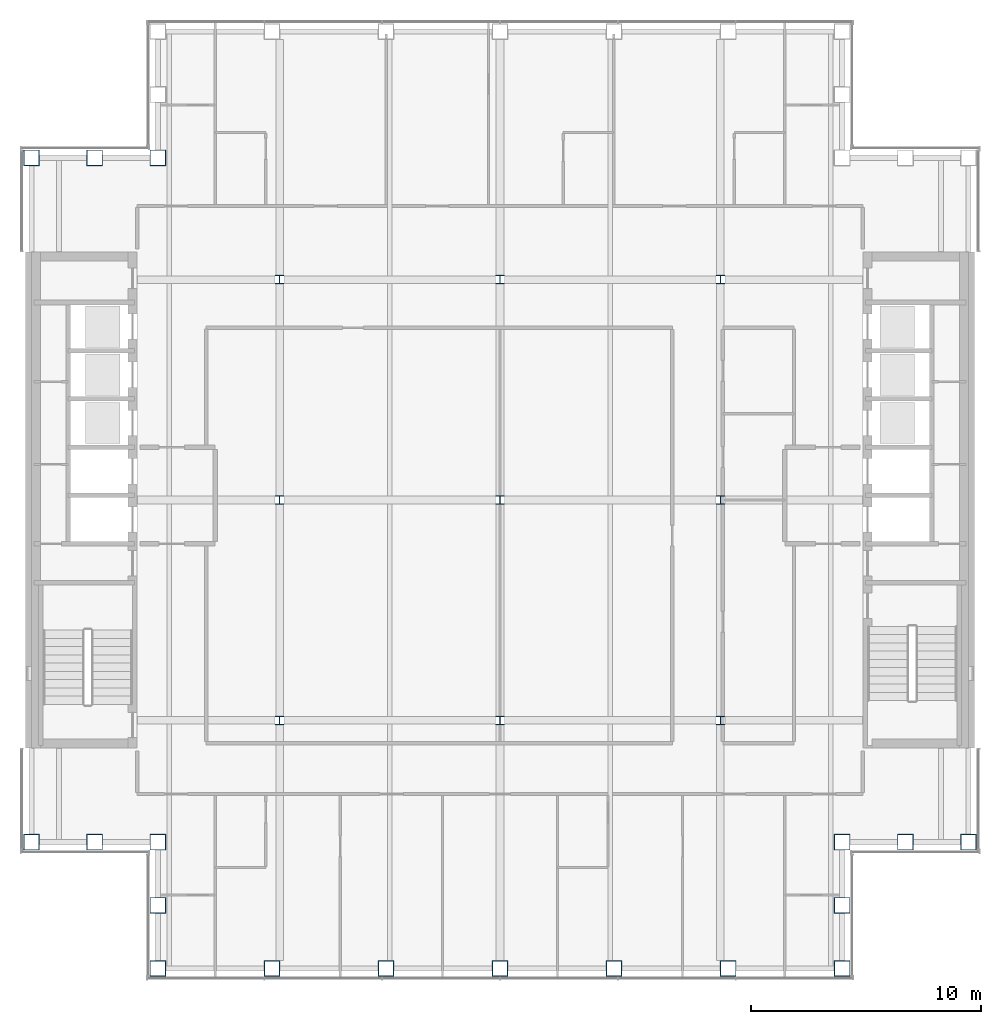
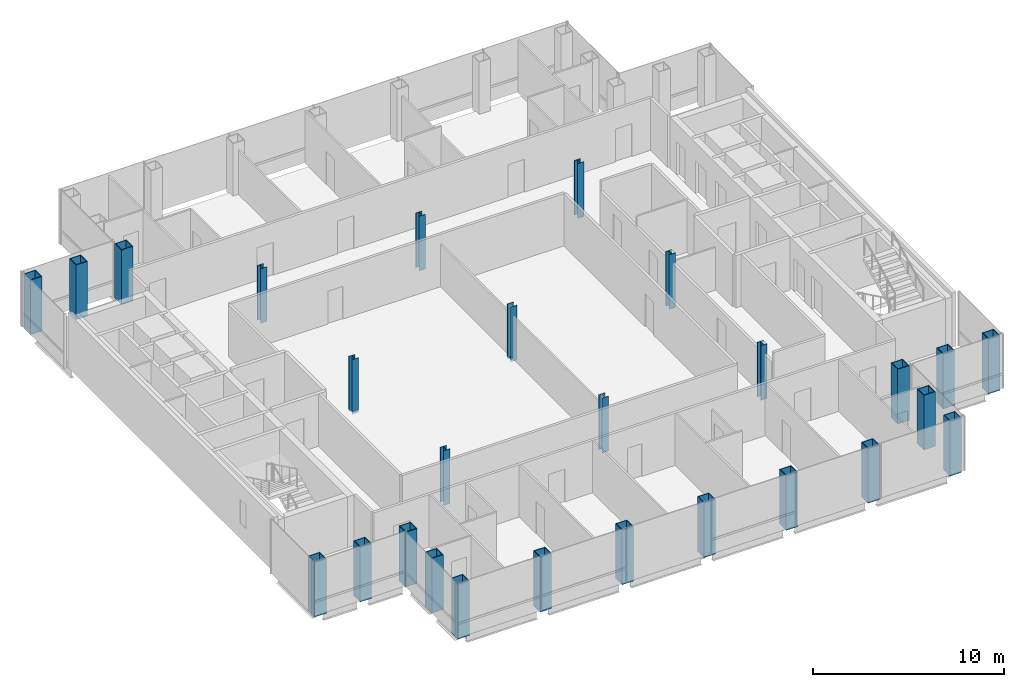
# One storey, part 1 of 15: 27 columns.
"""IFC4 building model written with IfcOpenShell, lengths in metres."""

from ifc_helpers import new_model, si_unit, direction, frame, origin, origin_2d, place, context, subcontext, project, spatial, hollow_rectangle, i_section, extrude, material, material_profile, profile_set, type_object, element, save


model = new_model("IFC4")

# Units and contexts
model_context = context("Model", 3, precision=1e-05, world=origin(), true_north=direction((0.0, 1.0)))
body_context = subcontext(model_context, "Body", "Model", "MODEL_VIEW")
ifc_project = project(units=[si_unit("LENGTHUNIT", "METRE"), si_unit("AREAUNIT", "SQUARE_METRE"), si_unit("VOLUMEUNIT", "CUBIC_METRE"), si_unit("PLANEANGLEUNIT", "RADIAN"), si_unit("MASSUNIT", "GRAM", prefix="KILO")], contexts=[model_context])

# Site, building, storey
site_placement = place(None, origin())
site = spatial("IfcSite", under=ifc_project, at=site_placement, CompositionType="ELEMENT")
building_placement = place(site_placement, origin())
building = spatial("IfcBuilding", under=site, at=building_placement, Name="Cobrizo Arcos Hotel Tower", CompositionType="ELEMENT")
storey_placement = place(building_placement, frame((0.0, 0.0, 194.5)))
storey = spatial("IfcBuildingStorey", under=building, at=storey_placement, Name="L50", CompositionType="ELEMENT", Elevation=194.5)

# Columns
ifc_material_1 = material(Name="Steel ASTM A572 Grade 50", Category="steel")
ifc_material_profile_1 = material_profile(ifc_material_1, hollow_rectangle(XDim=0.699951171875, YDim=0.699951171875, WallThickness=0.0400390625, at=origin_2d()), Name="BOX 700X700X40")
ifc_profile_set_1 = profile_set([ifc_material_profile_1], Name="Steel ASTM A572 Grade 50")
column_type_1 = type_object("IfcColumnType", Name="BOX 700X700X40 column", PredefinedType="COLUMN", material=ifc_profile_set_1)
for number, where, z_axis, x_axis, name in (
    (1, (-14.89990234375, -20.39990234375, -0.14990234375), (0.0, 0.0, 1.0), (1.0, 0.0, 0.0), "Perimeter column C10, L50, no. 01"),
    (2, (-9.93310546875, -20.39990234375, -0.14990234375), (0.0, 0.0, 1.0), (1.0, 0.0, 0.0), "Perimeter column C10, L50, no. 03"),
    (3, (-4.967041015625, -20.39990234375, -0.14990234375), (0.0, 0.0, 1.0), (1.0, 0.0, 0.0), "Perimeter column C10, L50, no. 05"),
    (4, (0.0, -20.39990234375, -0.14990234375), (0.0, 0.0, 1.0), (1.0, 0.0, 0.0), "Perimeter column C10, L50, no. 07"),
    (5, (4.967041015625, -20.39990234375, -0.14990234375), (0.0, 0.0, 1.0), (1.0, 0.0, 0.0), "Perimeter column C10, L50, no. 09"),
    (6, (9.93310546875, -20.39990234375, -0.14990234375), (0.0, 0.0, 1.0), (1.0, 0.0, 0.0), "Perimeter column C10, L50, no. 11"),
    (7, (14.89990234375, -20.39990234375, -0.14990234375), (0.0, 0.0, 1.0), (1.0, 0.0, 0.0), "Perimeter column C10, L50, no. 13"),
    (8, (20.39990234375, -14.89990234375, -0.14990234375), (0.0, 0.0, 1.0), (1.0, 0.0, 0.0), "Perimeter column C10, L50, no. 14"),
    (9, (-20.39990234375, -14.89990234375, -0.14990234375), (0.0, 0.0, 1.0), (1.0, 0.0, 0.0), "Perimeter column C10, L50, no. 15"),
    (10, (-20.39990234375, 14.89990234375, -0.14990234375), (0.0, 0.0, 1.0), (1.0, 0.0, 0.0), "Perimeter column C10, L50, no. 17"),
    (11, (-14.89990234375, -14.89990234375, -0.14990234375), (0.0, 0.0, 1.0), (1.0, 0.0, 0.0), "Perimeter column C10, L50, no. 18"),
    (12, (-14.89990234375, -17.64990234375, -0.14990234375), (0.0, 0.0, 1.0), (1.0, 0.0, 0.0), "Perimeter column C10, L50, no. 19"),
    (13, (-17.64990234375, -14.89990234375, -0.14990234375), (0.0, 0.0, 1.0), (1.0, 0.0, 0.0), "Perimeter column C10, L50, no. 20"),
    (14, (-14.89990234375, 14.89990234375, -0.14990234375), (0.0, 0.0, 1.0), (1.0, 0.0, 0.0), "Perimeter column C10, L50, no. 21"),
    (15, (-17.64990234375, 14.89990234375, -0.14990234375), (0.0, 0.0, 1.0), (1.0, 0.0, 0.0), "Perimeter column C10, L50, no. 23"),
    (16, (14.89990234375, -14.89990234375, -0.14990234375), (0.0, 0.0, 1.0), (1.0, 0.0, 0.0), "Perimeter column C10, L50, no. 24"),
    (17, (14.89990234375, -17.64990234375, -0.14990234375), (0.0, 0.0, 1.0), (1.0, 0.0, 0.0), "Perimeter column C10, L50, no. 25"),
    (18, (17.64990234375, -14.89990234375, -0.14990234375), (0.0, 0.0, 1.0), (1.0, 0.0, 0.0), "Perimeter column C10, L50, no. 26"),
):
    element("IfcColumn", number, at=place(storey_placement, frame(where, z_axis=z_axis, x_axis=x_axis)), inside=storey, type_object=column_type_1, Name=name, PredefinedType="COLUMN", context=body_context, shape_type="SweptSolid", body=[
        extrude(hollow_rectangle(XDim=0.699951171875, YDim=0.699951171875, WallThickness=0.0400390625, at=origin_2d()), origin(), (0.0, 0.0, 1.0), 3.5),
    ])
ifc_material_2 = material(Name="Steel ASTM A992 Grade 50", Category="steel")
ifc_material_profile_2 = material_profile(ifc_material_2, i_section(OverallWidth=0.373291015625, OverallDepth=0.373291015625, WebThickness=0.016357421875, FlangeThickness=0.026123046875, at=origin_2d()), Name="W14X132")
ifc_profile_set_2 = profile_set([ifc_material_profile_2], Name="Steel ASTM A992 Grade 50")
column_type_2 = type_object("IfcColumnType", Name="W14X132 interior column", PredefinedType="COLUMN", material=ifc_profile_set_2)
for number, where, z_axis, x_axis, name in (
    (19, (-9.60009765625, -9.60009765625, -0.14990234375), (0.0, 0.0, 1.0), (1.0, 0.0, 0.0), "Interior column C9, L50, no. 00"),
    (20, (-9.60009765625, 0.0, -0.14990234375), (0.0, 0.0, 1.0), (1.0, 0.0, 0.0), "Interior column C9, L50, no. 01"),
    (21, (-9.60009765625, 9.60009765625, -0.14990234375), (0.0, 0.0, 1.0), (1.0, 0.0, 0.0), "Interior column C9, L50, no. 02"),
    (22, (0.0, -9.60009765625, -0.14990234375), (0.0, 0.0, 1.0), (1.0, 0.0, 0.0), "Interior column C9, L50, no. 03"),
    (23, (0.0, 0.0, -0.14990234375), (0.0, 0.0, 1.0), (1.0, 0.0, 0.0), "Interior column C9, L50, no. 04"),
    (24, (0.0, 9.60009765625, -0.14990234375), (0.0, 0.0, 1.0), (1.0, 0.0, 0.0), "Interior column C9, L50, no. 05"),
    (25, (9.60009765625, -9.60009765625, -0.14990234375), (0.0, 0.0, 1.0), (1.0, 0.0, 0.0), "Interior column C9, L50, no. 06"),
    (26, (9.60009765625, 0.0, -0.14990234375), (0.0, 0.0, 1.0), (1.0, 0.0, 0.0), "Interior column C9, L50, no. 07"),
    (27, (9.60009765625, 9.60009765625, -0.14990234375), (0.0, 0.0, 1.0), (1.0, 0.0, 0.0), "Interior column C9, L50, no. 08"),
):
    element("IfcColumn", number, at=place(storey_placement, frame(where, z_axis=z_axis, x_axis=x_axis)), inside=storey, type_object=column_type_2, Name=name, PredefinedType="COLUMN", context=body_context, shape_type="SweptSolid", body=[
        extrude(i_section(OverallWidth=0.373291015625, OverallDepth=0.373291015625, WebThickness=0.016357421875, FlangeThickness=0.026123046875, at=origin_2d()), origin(), (0.0, 0.0, 1.0), 3.5),
    ])

save(model, "model.ifc")
